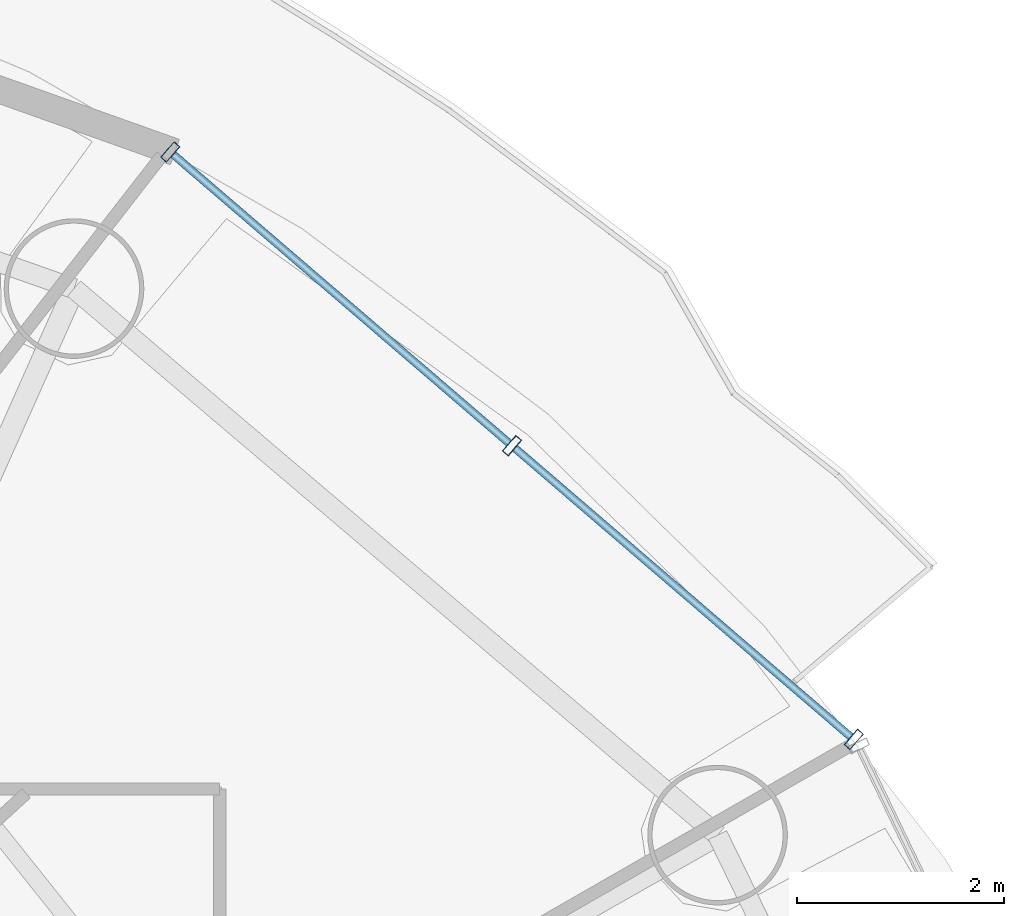
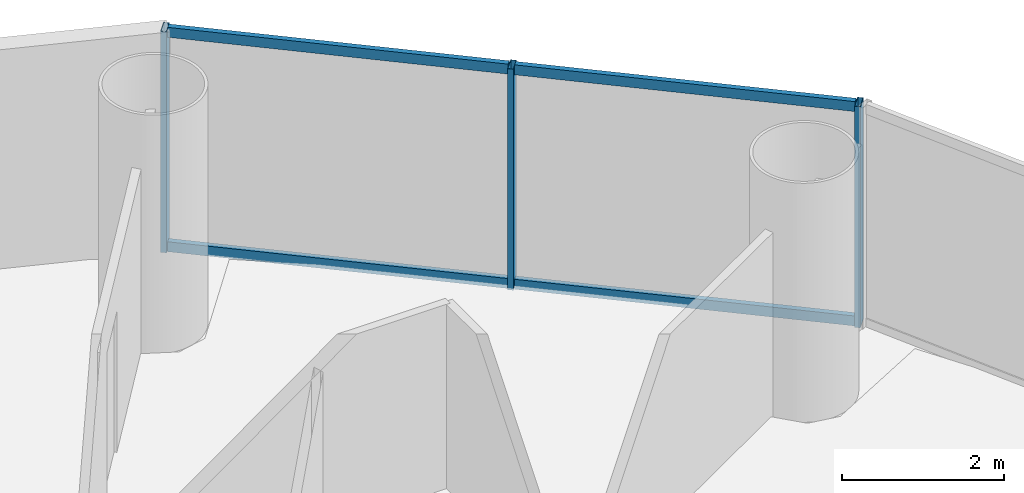
# One storey, part 19 of 27: 7 members, 1 element without a shape of its own.
"""IFC4 building model written with IfcOpenShell, lengths in metres."""

from ifc_helpers import new_model, si_unit, direction, frame, origin, origin_2d, place, context, subcontext, project, spatial, hollow_rectangle, extrude, source, transform, mapped, material, material_profile, profile_set, type_object, element, aggregate, save


model = new_model("IFC4")

# Units and contexts
model_context = context("Model", 3, precision=1e-05, world=origin(), true_north=direction((-0.2419218956, 0.970295726276)))
body_context = subcontext(model_context, "Body", "Model", "MODEL_VIEW")
ifc_project = project(units=[si_unit("LENGTHUNIT", "METRE"), si_unit("AREAUNIT", "SQUARE_METRE"), si_unit("VOLUMEUNIT", "CUBIC_METRE"), si_unit("PLANEANGLEUNIT", "RADIAN"), si_unit("MASSUNIT", "GRAM", prefix="KILO")], contexts=[model_context])

# Site, building, storey
site_placement = place(None, origin())
site = spatial("IfcSite", under=ifc_project, at=site_placement, CompositionType="ELEMENT")
building_placement = place(site_placement, origin())
building = spatial("IfcBuilding", under=site, at=building_placement, Name="Cobrevalo Terracotta Tower", CompositionType="ELEMENT")
storey_placement = place(building_placement, frame((0.0, 0.0, 146.199951171875)))
storey = spatial("IfcBuildingStorey", under=building, at=storey_placement, Name="L38", CompositionType="ELEMENT", Elevation=146.199951171875)

# Curtain wall, members
ifc_material = material(Name="Anodized aluminium", Category="aluminium")
curtain_wall_type = type_object("IfcCurtainWallType", Name="Mid-tower high-wind unitised curtain wall CW-U2", PredefinedType="NOTDEFINED", material=ifc_material)
curtain_wall_placement = place(storey_placement, origin())
curtain_wall = element("IfcCurtainWall", 1, at=curtain_wall_placement, inside=storey, type_object=curtain_wall_type, Name="L38 curtain wall CW-L38-S02", PredefinedType="NOTDEFINED")
ifc_material_profile_1 = material_profile(ifc_material, hollow_rectangle(XDim=0.074951171875, YDim=0.199951171875, WallThickness=0.0048828125, at=origin_2d()), Name="CWM 75x200")
ifc_profile_set_1 = profile_set([ifc_material_profile_1], Name="Anodized aluminium")
member_type_1 = type_object("IfcMemberType", Name="Lower/mid tower unitised mullion 75x200", PredefinedType="MULLION", material=ifc_profile_set_1)
shared_shape_1 = source(origin(), body_context, "Body", "SweptSolid", [
    extrude(hollow_rectangle(XDim=0.074951171875, YDim=0.199951171875, WallThickness=0.0048828125, at=origin_2d()), origin(), (0.0, 0.0, 1.0), 3.330078125),
])
member_1_placement = place(storey_placement, frame((58.066162109375, 38.365234375, 0.0), z_axis=(0.0, 0.0, 1.0), x_axis=(-0.758441546142, 0.65174106905, 0.0)))
member_1 = element("IfcMember", 2, at=member_1_placement, type_object=member_type_1, Name="CW-L38-S02 vertical mullion 01", PredefinedType="MULLION", context=body_context, shape_type="MappedRepresentation", body=[
    mapped(shared_shape_1, transform((0.0, 0.0, 0.0), scale=1.0)),
])
member_2_placement = place(storey_placement, frame((54.762451171875, 41.204345703125, 0.0), z_axis=(0.0, 0.0, 1.0), x_axis=(-0.758441546142, 0.65174106905, 0.0)))
member_2 = element("IfcMember", 3, at=member_2_placement, type_object=member_type_1, Name="CW-L38-S02 vertical mullion 02", PredefinedType="MULLION", context=body_context, shape_type="MappedRepresentation", body=[
    mapped(shared_shape_1, transform((0.0, 0.0, 0.0), scale=1.0)),
])
member_3_placement = place(storey_placement, frame((51.45849609375, 44.04345703125, 0.0), z_axis=(0.0, 0.0, 1.0), x_axis=(-0.758441546142, 0.65174106905, 0.0)))
member_3 = element("IfcMember", 4, at=member_3_placement, type_object=member_type_1, Name="CW-L38-S02 vertical mullion 03", PredefinedType="MULLION", context=body_context, shape_type="MappedRepresentation", body=[
    mapped(shared_shape_1, transform((0.0, 0.0, 0.0), scale=1.0)),
])
ifc_material_profile_2 = material_profile(ifc_material, hollow_rectangle(XDim=0.074951171875, YDim=0.14990234375, WallThickness=0.00439453125, at=origin_2d()), Name="CWT 75x150")
ifc_profile_set_2 = profile_set([ifc_material_profile_2], Name="Anodized aluminium")
member_type_2 = type_object("IfcMemberType", Name="Tower unitised aluminium transom 75x150", PredefinedType="USERDEFINED", material=ifc_profile_set_2)
shared_shape_2 = source(origin(), body_context, "Body", "SweptSolid", [
    extrude(hollow_rectangle(XDim=0.074951171875, YDim=0.14990234375, WallThickness=0.00439453125, at=origin_2d()), origin(), (0.0, 0.0, 1.0), 4.276123046875),
])
member_4_placement = place(storey_placement, frame((58.035888671875, 38.391357421875, 0.050048828125), z_axis=(-0.758445941187, 0.65173595443, 0.0), x_axis=(-0.65173595443, -0.758445941187, 0.0)))
member_4 = element("IfcMember", 5, at=member_4_placement, type_object=member_type_2, Name="CW-L38-S02 transom B01-T1", ObjectType="TRANSOM", PredefinedType="USERDEFINED", context=body_context, shape_type="MappedRepresentation", body=[
    mapped(shared_shape_2, transform((0.0, 0.0, 0.0), scale=1.0)),
])
member_5_placement = place(storey_placement, frame((58.035888671875, 38.391357421875, 3.280029296875), z_axis=(-0.758445941187, 0.65173595443, 0.0), x_axis=(-0.65173595443, -0.758445941187, 0.0)))
member_5 = element("IfcMember", 6, at=member_5_placement, type_object=member_type_2, Name="CW-L38-S02 transom B01-T2", ObjectType="TRANSOM", PredefinedType="USERDEFINED", context=body_context, shape_type="MappedRepresentation", body=[
    mapped(shared_shape_2, transform((0.0, 0.0, 0.0), scale=1.0)),
])
member_6_placement = place(storey_placement, frame((54.73193359375, 41.23046875, 0.050048828125), z_axis=(-0.758417719247, 0.651768795764, 0.0), x_axis=(-0.651768795764, -0.758417719247, 0.0)))
member_6 = element("IfcMember", 7, at=member_6_placement, type_object=member_type_2, Name="CW-L38-S02 transom B02-T1", ObjectType="TRANSOM", PredefinedType="USERDEFINED", context=body_context, shape_type="MappedRepresentation", body=[
    mapped(shared_shape_2, transform((0.0, 0.0, 0.0), scale=1.0)),
])
member_7_placement = place(storey_placement, frame((54.73193359375, 41.23046875, 3.280029296875), z_axis=(-0.758417719247, 0.651768795764, 0.0), x_axis=(-0.651768795764, -0.758417719247, 0.0)))
member_7 = element("IfcMember", 8, at=member_7_placement, type_object=member_type_2, Name="CW-L38-S02 transom B02-T2", ObjectType="TRANSOM", PredefinedType="USERDEFINED", context=body_context, shape_type="MappedRepresentation", body=[
    mapped(shared_shape_2, transform((0.0, 0.0, 0.0), scale=1.0)),
])
aggregate(curtain_wall, [member_1, member_2, member_3, member_4, member_5, member_6, member_7])

save(model, "model.ifc")
